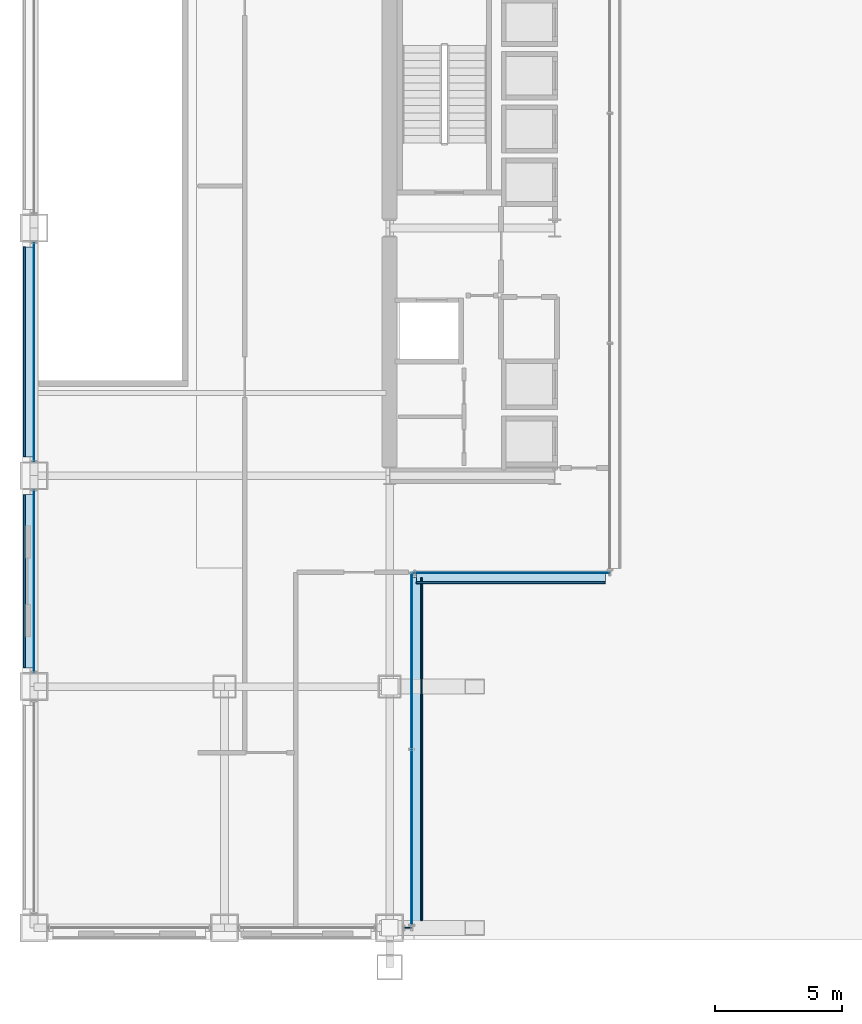
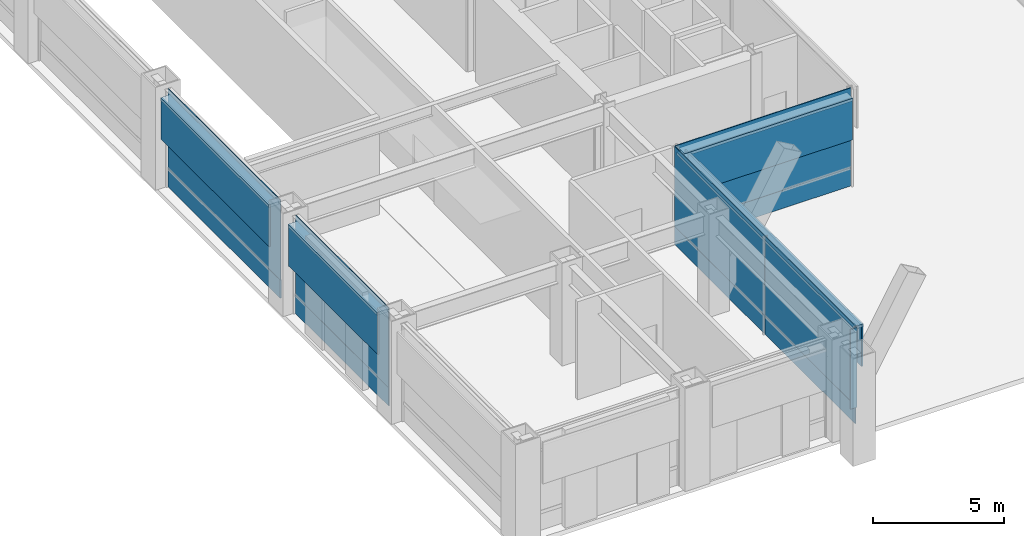
# One storey, part 22 of 37: 19 plates, 5 elements without a shape of their own.
"""IFC4 building model written with IfcOpenShell, lengths in metres."""

import ifcopenshell
import ifcopenshell.guid

model = None  # the IFC model being written
_history = None  # IfcOwnerHistory: only IFC2X3 demands one
_inside = {}  # id of a spatial element -> (the spatial element, [elements in it])
_under = {}  # id of a project, library or spatial element -> (it, [spatial elements below it])
_declared = {}  # id of a project -> (the project, [libraries it declares])
_typed = {}  # id of a type object -> (the type object, [elements of that type])
_made_of = {}  # id of a material, layer set ... -> (it, [elements and type objects made of it])


def new_model(schema):
    """Start an empty IFC model of exactly this schema.

    Asked for "IFC4X3", IfcOpenShell would pick the latest addendum, in which some entities
    have other attributes; the version numbers below select the first issue.
    IFC2X3 requires an IfcOwnerHistory on every rooted entity: one is made here for all.
    """
    global model, _history
    if schema == "IFC4X3":
        model = ifcopenshell.file(schema_version=(4, 3, 0, 0))
    else:
        model = ifcopenshell.file(schema=schema)
    _inside.clear()
    _under.clear()
    _declared.clear()
    _typed.clear()
    _made_of.clear()
    _history = None
    if model.schema == "IFC2X3":
        org = make("IfcOrganization", Name="unknown")
        user = make(
            "IfcPersonAndOrganization",
            ThePerson=make("IfcPerson", FamilyName="unknown"),
            TheOrganization=org,
        )
        app = make(
            "IfcApplication",
            ApplicationDeveloper=org,
            Version="unknown",
            ApplicationFullName="unknown",
            ApplicationIdentifier="unknown",
        )
        _history = make(
            "IfcOwnerHistory",
            OwningUser=user,
            OwningApplication=app,
            ChangeAction="ADDED",
            CreationDate=0,
        )
    return model


def make(cls, **values):
    """One entity of the class cls with the attributes given. An attribute that is None is left unset."""
    return model.create_entity(
        cls, **{name: value for name, value in values.items() if value is not None}
    )


def rooted(cls, **values):
    """An entity with a GlobalId (a new one), such as an element, a storey or a relation."""
    return make(cls, GlobalId=ifcopenshell.guid.new(), OwnerHistory=_history, **values)


def si_unit(unit_type, name, prefix=None):
    """IfcSIUnit, for example si_unit("LENGTHUNIT", "METRE", prefix="MILLI")."""
    return make("IfcSIUnit", UnitType=unit_type, Prefix=prefix, Name=name)


def assignment(units):
    """IfcUnitAssignment: the units of a project."""
    return None if units is None else make("IfcUnitAssignment", Units=units)


def point(xyz):
    """IfcCartesianPoint."""
    return None if xyz is None else make("IfcCartesianPoint", Coordinates=xyz)


def direction(xyz):
    """IfcDirection."""
    return None if xyz is None else make("IfcDirection", DirectionRatios=xyz)


def frame(location, z_axis=None, x_axis=None):
    """IfcAxis2Placement3D, a coordinate frame: its origin and axes. An axis left out is left unset."""
    return make(
        "IfcAxis2Placement3D",
        Location=point(location),
        Axis=direction(z_axis),
        RefDirection=direction(x_axis),
    )


def frame_2d(location, x_axis=None):
    """IfcAxis2Placement2D, a coordinate frame in the plane: its origin and x axis."""
    return make(
        "IfcAxis2Placement2D", Location=point(location), RefDirection=direction(x_axis)
    )


def origin():
    """The frame at (0, 0, 0) with its axes left unset."""
    return frame((0.0, 0.0, 0.0))


def origin_2d():
    """The frame at (0, 0) in the plane with its x axis left unset."""
    return frame_2d((0.0, 0.0))


def place(relative_to, where):
    """IfcLocalPlacement: puts the frame where relative to a parent placement (None: the world)."""
    return make(
        "IfcLocalPlacement", PlacementRelTo=relative_to, RelativePlacement=where
    )


def context(
    kind, dimensions, precision=None, world=None, true_north=None, identifier=None
):
    """IfcGeometricRepresentationContext, for example the 3D "Model" context."""
    return make(
        "IfcGeometricRepresentationContext",
        ContextIdentifier=identifier,
        ContextType=kind,
        CoordinateSpaceDimension=dimensions,
        Precision=precision,
        WorldCoordinateSystem=world,
        TrueNorth=true_north,
    )


def subcontext(parent, identifier, kind, view, scale=None):
    """IfcGeometricRepresentationSubContext, for example "Body" below "Model"."""
    return make(
        "IfcGeometricRepresentationSubContext",
        ContextIdentifier=identifier,
        ContextType=kind,
        ParentContext=parent,
        TargetScale=scale,
        TargetView=view,
    )


def project(units=None, contexts=None):
    """IfcProject with its units and contexts."""
    return rooted(
        "IfcProject",
        Name="project",
        RepresentationContexts=contexts,
        UnitsInContext=assignment(units),
    )


def spatial(cls, under=None, at=None, **own):
    """A site, building, storey or space (cls), placed at a placement, below another one or the project."""
    s = rooted(cls, ObjectPlacement=at, **own)
    if under is not None:
        _under.setdefault(under.id(), (under, []))[1].append(s)
    return s


def profile(cls, at=None, kind="AREA", **sizes):
    """A parametric profile (cls). Its sizes go by their IFC names, for example OverallWidth=200.0."""
    return make(cls, ProfileType=kind, Position=at, **sizes)


def rectangle(**sizes):
    """IfcRectangleProfileDef."""
    return profile("IfcRectangleProfileDef", **sizes)


def extrude(swept, where, along, depth):
    """IfcExtrudedAreaSolid: the profile swept, set in the frame where, extruded along a direction by depth."""
    return make(
        "IfcExtrudedAreaSolid",
        SweptArea=swept,
        Position=where,
        ExtrudedDirection=direction(along),
        Depth=depth,
    )


def shape(context_of_items, identifier, shape_type, items):
    """IfcShapeRepresentation: the items that make up one representation, for example the "Body"."""
    return make(
        "IfcShapeRepresentation",
        ContextOfItems=context_of_items,
        RepresentationIdentifier=identifier,
        RepresentationType=shape_type,
        Items=items,
    )


def material(Name=None, Category=None):
    """IfcMaterial."""
    return make("IfcMaterial", Name=Name, Category=Category)


def layer(
    of_material, thickness, ventilated=None, Name=None, Category=None, Priority=None
):
    """IfcMaterialLayer: one layer of a wall or slab, of a material (None: an air gap)."""
    return make(
        "IfcMaterialLayer",
        Material=of_material,
        LayerThickness=thickness,
        IsVentilated=ventilated,
        Name=Name,
        Category=Category,
        Priority=Priority,
    )


def layer_set(layers, Name=None):
    """IfcMaterialLayerSet."""
    return make("IfcMaterialLayerSet", MaterialLayers=layers, LayerSetName=Name)


def made_of(thing, what):
    """Note that an element or type object is made of a material, layer set ...; save() writes the relation."""
    if what is not None:
        _made_of.setdefault(what.id(), (what, []))[1].append(thing)
    return thing


def type_object(cls, material=None, **own):
    """A type object (cls), such as IfcWallType, which elements share."""
    return made_of(rooted(cls, **own), material)


def element(
    cls,
    number,
    at=None,
    inside=None,
    cuts=None,
    type_object=None,
    material=None,
    context=None,
    identifier="Body",
    shape_type=None,
    held_by="IfcProductDefinitionShape",
    body=None,
    shapes=None,
    **own,
):
    """One element of the class cls, such as IfcWall. Its Tag is "e" and its number.

    at: its placement. inside: the storey or other place that contains it. cuts: it is an
    opening in that element (IfcRelVoidsElement). A single representation is given by context,
    identifier, shape_type and body (its items); several are given by shapes. held_by: the class
    of the entity that holds the representations. save() writes the other relations.
    """
    e = rooted(cls, Tag="e%d" % number, ObjectPlacement=at, **own)
    if body is not None:
        shapes = [shape(context, identifier, shape_type, body)]
    if shapes is not None:
        e.Representation = make(held_by, Representations=shapes)
    if inside is not None:
        _inside.setdefault(inside.id(), (inside, []))[1].append(e)
    if cuts is not None:
        rooted(
            "IfcRelVoidsElement", RelatingBuildingElement=cuts, RelatedOpeningElement=e
        )
    if type_object is not None:
        _typed.setdefault(type_object.id(), (type_object, []))[1].append(e)
    return made_of(e, material)


def aggregate(whole, parts):
    """IfcRelAggregates: a whole, such as a stair, and the parts it consists of."""
    return rooted("IfcRelAggregates", RelatingObject=whole, RelatedObjects=parts)


def save(model, path):
    """Write the relations noted so far, then the file.

    IfcRelAggregates (storeys below a building ...), IfcRelContainedInSpatialStructure (elements
    in a storey), IfcRelDefinesByType, IfcRelAssociatesMaterial and IfcRelDeclares: one each for
    every whole, place, type object, material and project.
    """
    for whole, parts in _under.values():
        aggregate(whole, parts)
    for where, things in _inside.values():
        rooted(
            "IfcRelContainedInSpatialStructure",
            RelatedElements=things,
            RelatingStructure=where,
        )
    for kind, things in _typed.values():
        rooted("IfcRelDefinesByType", RelatedObjects=things, RelatingType=kind)
    for what, things in _made_of.values():
        rooted("IfcRelAssociatesMaterial", RelatedObjects=things, RelatingMaterial=what)
    for by, libraries in _declared.values():
        rooted("IfcRelDeclares", RelatingContext=by, RelatedDefinitions=libraries)
    model.write(path)


model = new_model("IFC4")

# Units and contexts
model_context = context("Model", 3, precision=1e-05, world=origin(), true_north=direction((0.0, 1.0)))
body_context = subcontext(model_context, "Body", "Model", "MODEL_VIEW")
ifc_project = project(units=[si_unit("LENGTHUNIT", "METRE"), si_unit("AREAUNIT", "SQUARE_METRE"), si_unit("VOLUMEUNIT", "CUBIC_METRE"), si_unit("PLANEANGLEUNIT", "RADIAN"), si_unit("MASSUNIT", "GRAM", prefix="KILO")], contexts=[model_context])

# Site, building, storey
site_placement = place(None, origin())
site = spatial("IfcSite", under=ifc_project, at=site_placement, CompositionType="ELEMENT")
building_placement = place(site_placement, origin())
building = spatial("IfcBuilding", under=site, at=building_placement, Name="Brelmoor Portico Tower", CompositionType="ELEMENT")
storey_placement = place(building_placement, origin())
storey = spatial("IfcBuildingStorey", under=building, at=storey_placement, Name="L00", CompositionType="ELEMENT", Elevation=0.0)

# Curtain wall, plate
ifc_material_1 = material(Name="Anodised Aluminium Alloy 6063-T6", Category="aluminium")
ifc_layer_1 = layer(ifc_material_1, 0.179931640625)
ifc_layer_set_1 = layer_set([ifc_layer_1], Name="Anodised Aluminium Alloy 6063-T6")
curtain_wall_type = type_object("IfcCurtainWallType", Name="CW-PODIUM-ARCH", PredefinedType="NOTDEFINED", material=ifc_layer_set_1)
curtain_wall_1_placement = place(storey_placement, origin())
curtain_wall_1 = element("IfcCurtainWall", 1, at=curtain_wall_1_placement, inside=storey, type_object=curtain_wall_type, Name="L00 Curtain Wall CW-L00-01-3", PredefinedType="NOTDEFINED")
ifc_material_2 = material(Name="Double-Silver Low-E Insulated Glazing", Category="glass")
ifc_layer_2 = layer(ifc_material_2, 0.035888671875)
ifc_layer_set_2 = layer_set([ifc_layer_2], Name="Double-Silver Low-E Insulated Glazing")
plate_type_1 = type_object("IfcPlateType", Name="PT-CW-GLASS", PredefinedType="CURTAIN_PANEL", material=ifc_layer_set_2)
plate_1_placement = place(storey_placement, frame((-13.8349609375, -27.550048828125, 0.85009765625), z_axis=(0.0, 0.0, 1.0), x_axis=(1.0, 0.0, 0.0)))
plate_1 = element("IfcPlate", 2, at=plate_1_placement, type_object=plate_type_1, Name="CW-L00-01-3 Vision Glass Panel 00", PredefinedType="CURTAIN_PANEL", context=body_context, shape_type="SweptSolid", body=[
    extrude(rectangle(XDim=0.280029296875, YDim=0.035888671875, at=origin_2d()), origin(), (0.0, 0.0, 1.0), 3.72998046875),
])
aggregate(curtain_wall_1, [plate_1])

curtain_wall_2_placement = place(storey_placement, origin())
curtain_wall_2 = element("IfcCurtainWall", 3, at=curtain_wall_2_placement, inside=storey, type_object=curtain_wall_type, Name="L00 Curtain Wall CW-L00-05-2", PredefinedType="NOTDEFINED")
plate_2_placement = place(storey_placement, frame((-28.550048828125, -13.89990234375, 0.85009765625), z_axis=(0.0, 0.0, 1.0), x_axis=(0.0, 1.0, 0.0)))
plate_2 = element("IfcPlate", 4, at=plate_2_placement, type_object=plate_type_1, Name="CW-L00-05-2 Vision Glass Panel 00", PredefinedType="CURTAIN_PANEL", context=body_context, shape_type="SweptSolid", body=[
    extrude(rectangle(XDim=7.14990234375, YDim=0.035888671875, at=origin_2d()), origin(), (0.0, 0.0, 1.0), 3.72998046875),
])

curtain_wall_3_placement = place(storey_placement, origin())
curtain_wall_3 = element("IfcCurtainWall", 5, at=curtain_wall_3_placement, inside=storey, type_object=curtain_wall_type, Name="L00 Curtain Wall CW-L00-05-3", PredefinedType="NOTDEFINED")
plate_3_placement = place(storey_placement, frame((-28.550048828125, -4.875, 0.85009765625), z_axis=(0.0, 0.0, 1.0), x_axis=(0.0, 1.0, 0.0)))
plate_3 = element("IfcPlate", 6, at=plate_3_placement, type_object=plate_type_1, Name="CW-L00-05-3 Vision Glass Panel 00", PredefinedType="CURTAIN_PANEL", context=body_context, shape_type="SweptSolid", body=[
    extrude(rectangle(XDim=8.60009765625, YDim=0.035888671875, at=origin_2d()), origin(), (0.0, 0.0, 1.0), 3.72998046875),
])

# Curtain wall, plates
curtain_wall_4_placement = place(storey_placement, origin())
curtain_wall_4 = element("IfcCurtainWall", 7, at=curtain_wall_4_placement, inside=storey, type_object=curtain_wall_type, Name="L00 Curtain Wall CW-L00-07", PredefinedType="NOTDEFINED")
plate_4_placement = place(storey_placement, frame((-13.679931640625, -23.982421875, 0.85009765625), z_axis=(0.0, 0.0, 1.0), x_axis=(0.0, 1.0, 0.0)))
plate_4 = element("IfcPlate", 8, at=plate_4_placement, type_object=plate_type_1, Name="CW-L00-07 Vision Glass Panel 00", PredefinedType="CURTAIN_PANEL", context=body_context, shape_type="SweptSolid", body=[
    extrude(rectangle(XDim=6.905029296875, YDim=0.035888671875, at=origin_2d()), origin(), (0.0, 0.0, 1.0), 3.72998046875),
])
plate_5_placement = place(storey_placement, frame((-13.679931640625, -17.047607421875, 0.85009765625), z_axis=(0.0, 0.0, 1.0), x_axis=(0.0, 1.0, 0.0)))
plate_5 = element("IfcPlate", 9, at=plate_5_placement, type_object=plate_type_1, Name="CW-L00-07 Vision Glass Panel 01", PredefinedType="CURTAIN_PANEL", context=body_context, shape_type="SweptSolid", body=[
    extrude(rectangle(XDim=6.905029296875, YDim=0.035888671875, at=origin_2d()), origin(), (0.0, 0.0, 1.0), 3.72998046875),
])

# Curtain wall, plate
curtain_wall_5_placement = place(storey_placement, origin())
curtain_wall_5 = element("IfcCurtainWall", 10, at=curtain_wall_5_placement, inside=storey, type_object=curtain_wall_type, Name="L00 Curtain Wall CW-L00-11", PredefinedType="NOTDEFINED")
plate_6_placement = place(storey_placement, frame((-9.780029296875, -13.580078125, 0.85009765625), z_axis=(0.0, 0.0, 1.0), x_axis=(1.0, 0.0, 0.0)))
plate_6 = element("IfcPlate", 11, at=plate_6_placement, type_object=plate_type_1, Name="CW-L00-11 Vision Glass Panel 00", PredefinedType="CURTAIN_PANEL", context=body_context, shape_type="SweptSolid", body=[
    extrude(rectangle(XDim=7.77001953125, YDim=0.035888671875, at=origin_2d()), origin(), (0.0, 0.0, 1.0), 3.72998046875),
])

# Plate
ifc_material_3 = material(Name="Pale Champagne Anodised Aluminium Panel", Category="aluminium")
ifc_layer_3 = layer(ifc_material_3, 0.050048828125)
ifc_layer_set_3 = layer_set([ifc_layer_3], Name="Pale Champagne Anodised Aluminium Panel")
plate_type_2 = type_object("IfcPlateType", Name="PT-CW-SPANDREL", PredefinedType="SHEET", material=ifc_layer_set_3)
plate_7_placement = place(storey_placement, frame((-28.550048828125, -13.89990234375, 0.0), z_axis=(0.0, 0.0, 1.0), x_axis=(0.0, 1.0, 0.0)))
plate_7 = element("IfcPlate", 12, at=plate_7_placement, type_object=plate_type_2, Name="CW-L00-05-2 Spandrel Panel 00", PredefinedType="SHEET", context=body_context, shape_type="SweptSolid", body=[
    extrude(rectangle(XDim=7.14990234375, YDim=0.050048828125, at=origin_2d()), origin(), (0.0, 0.0, 1.0), 0.85009765625),
])

aggregate(curtain_wall_2, [plate_7, plate_2])

plate_8_placement = place(storey_placement, frame((-28.550048828125, -4.875, 0.0), z_axis=(0.0, 0.0, 1.0), x_axis=(0.0, 1.0, 0.0)))
plate_8 = element("IfcPlate", 13, at=plate_8_placement, type_object=plate_type_2, Name="CW-L00-05-3 Spandrel Panel 00", PredefinedType="SHEET", context=body_context, shape_type="SweptSolid", body=[
    extrude(rectangle(XDim=8.60009765625, YDim=0.050048828125, at=origin_2d()), origin(), (0.0, 0.0, 1.0), 0.85009765625),
])

aggregate(curtain_wall_3, [plate_8, plate_3])

plate_9_placement = place(storey_placement, frame((-13.679931640625, -23.982421875, 0.0), z_axis=(0.0, 0.0, 1.0), x_axis=(0.0, 1.0, 0.0)))
plate_9 = element("IfcPlate", 14, at=plate_9_placement, type_object=plate_type_2, Name="CW-L00-07 Spandrel Panel 00", PredefinedType="SHEET", context=body_context, shape_type="SweptSolid", body=[
    extrude(rectangle(XDim=6.905029296875, YDim=0.050048828125, at=origin_2d()), origin(), (0.0, 0.0, 1.0), 0.85009765625),
])

plate_10_placement = place(storey_placement, frame((-13.679931640625, -17.047607421875, 0.0), z_axis=(0.0, 0.0, 1.0), x_axis=(0.0, 1.0, 0.0)))
plate_10 = element("IfcPlate", 15, at=plate_10_placement, type_object=plate_type_2, Name="CW-L00-07 Spandrel Panel 01", PredefinedType="SHEET", context=body_context, shape_type="SweptSolid", body=[
    extrude(rectangle(XDim=6.905029296875, YDim=0.050048828125, at=origin_2d()), origin(), (0.0, 0.0, 1.0), 0.85009765625),
])

aggregate(curtain_wall_4, [plate_9, plate_4, plate_10, plate_5])

plate_11_placement = place(storey_placement, frame((-9.780029296875, -13.580078125, 0.0), z_axis=(0.0, 0.0, 1.0), x_axis=(1.0, 0.0, 0.0)))
plate_11 = element("IfcPlate", 16, at=plate_11_placement, type_object=plate_type_2, Name="CW-L00-11 Spandrel Panel 00", PredefinedType="SHEET", context=body_context, shape_type="SweptSolid", body=[
    extrude(rectangle(XDim=7.77001953125, YDim=0.050048828125, at=origin_2d()), origin(), (0.0, 0.0, 1.0), 0.85009765625),
])

aggregate(curtain_wall_5, [plate_11, plate_6])

# Plates
ifc_material_4 = material(Name="Powder-Coated Aluminium Shuttered Jalousie Louvre", Category="aluminium")
ifc_layer_4 = layer(ifc_material_4, 0.06005859375)
ifc_layer_set_4 = layer_set([ifc_layer_4], Name="Powder-Coated Aluminium Shuttered Jalousie Louvre")
plate_type_3 = type_object("IfcPlateType", Name="PT-JALOUSIE-SHUTTER", PredefinedType="SHEET", material=ifc_layer_set_4)
plate_12_placement = place(storey_placement, frame((-28.929931640625, -13.89990234375, 2.4404296875), z_axis=(0.0, 0.0, 1.0), x_axis=(0.0, 1.0, 0.0)))
element("IfcPlate", 17, at=plate_12_placement, inside=storey, type_object=plate_type_3, Name="CW-L00-05-2 Perforated Jalousie Solar Screen", PredefinedType="SHEET", context=body_context, shape_type="SweptSolid", body=[
    extrude(rectangle(XDim=6.820068359375, YDim=0.06494140625, at=origin_2d()), origin(), (0.0, 0.0, 1.0), 1.939697265625),
])
plate_13_placement = place(storey_placement, frame((-28.929931640625, -4.875, 2.4404296875), z_axis=(0.0, 0.0, 1.0), x_axis=(0.0, 1.0, 0.0)))
element("IfcPlate", 18, at=plate_13_placement, inside=storey, type_object=plate_type_3, Name="CW-L00-05-3 Perforated Jalousie Solar Screen", PredefinedType="SHEET", context=body_context, shape_type="SweptSolid", body=[
    extrude(rectangle(XDim=8.27001953125, YDim=0.06494140625, at=origin_2d()), origin(), (0.0, 0.0, 1.0), 1.939697265625),
])
plate_14_placement = place(storey_placement, frame((-13.300048828125, -20.514892578125, 2.4404296875), z_axis=(0.0, 0.0, 1.0), x_axis=(0.0, 1.0, 0.0)))
element("IfcPlate", 19, at=plate_14_placement, inside=storey, type_object=plate_type_3, Name="CW-L00-07 Perforated Jalousie Solar Screen", PredefinedType="SHEET", context=body_context, shape_type="SweptSolid", body=[
    extrude(rectangle(XDim=13.510009765625, YDim=0.06494140625, at=origin_2d()), origin(), (0.0, 0.0, 1.0), 1.939697265625),
])
plate_15_placement = place(storey_placement, frame((-9.780029296875, -13.9599609375, 2.4404296875), z_axis=(0.0, 0.0, 1.0), x_axis=(1.0, 0.0, 0.0)))
element("IfcPlate", 20, at=plate_15_placement, inside=storey, type_object=plate_type_3, Name="CW-L00-11 Perforated Jalousie Solar Screen", PredefinedType="SHEET", context=body_context, shape_type="SweptSolid", body=[
    extrude(rectangle(XDim=7.43994140625, YDim=0.06494140625, at=origin_2d()), origin(), (0.0, 0.0, 1.0), 1.939697265625),
])
ifc_material_5 = material(Name="Pale Champagne Perforated Aluminium Solar Screen", Category="aluminium")
ifc_layer_5 = layer(ifc_material_5, 0.054931640625)
ifc_layer_set_5 = layer_set([ifc_layer_5], Name="Pale Champagne Perforated Aluminium Solar Screen")
plate_type_4 = type_object("IfcPlateType", Name="PT-SOLAR-LOUVRE", PredefinedType="SHEET", material=ifc_layer_set_5)
plate_16_placement = place(storey_placement, frame((-28.760009765625, -13.89990234375, 4.27001953125), z_axis=(0.0, 0.0, 1.0), x_axis=(0.0, 1.0, 0.0)))
element("IfcPlate", 21, at=plate_16_placement, inside=storey, type_object=plate_type_4, Name="CW-L00-05-2 Caribbean Brise-Soleil Solar Screen", PredefinedType="SHEET", context=body_context, shape_type="SweptSolid", body=[
    extrude(rectangle(XDim=6.820068359375, YDim=0.4599609375, at=origin_2d()), origin(), (0.0, 0.0, 1.0), 0.139892578125),
])
plate_17_placement = place(storey_placement, frame((-28.760009765625, -4.875, 4.27001953125), z_axis=(0.0, 0.0, 1.0), x_axis=(0.0, 1.0, 0.0)))
element("IfcPlate", 22, at=plate_17_placement, inside=storey, type_object=plate_type_4, Name="CW-L00-05-3 Caribbean Brise-Soleil Solar Screen", PredefinedType="SHEET", context=body_context, shape_type="SweptSolid", body=[
    extrude(rectangle(XDim=8.27001953125, YDim=0.4599609375, at=origin_2d()), origin(), (0.0, 0.0, 1.0), 0.139892578125),
])
plate_18_placement = place(storey_placement, frame((-13.469970703125, -20.514892578125, 4.27001953125), z_axis=(0.0, 0.0, 1.0), x_axis=(0.0, 1.0, 0.0)))
element("IfcPlate", 23, at=plate_18_placement, inside=storey, type_object=plate_type_4, Name="CW-L00-07 Caribbean Brise-Soleil Solar Screen", PredefinedType="SHEET", context=body_context, shape_type="SweptSolid", body=[
    extrude(rectangle(XDim=13.510009765625, YDim=0.4599609375, at=origin_2d()), origin(), (0.0, 0.0, 1.0), 0.139892578125),
])
plate_19_placement = place(storey_placement, frame((-9.780029296875, -13.7900390625, 4.27001953125), z_axis=(0.0, 0.0, 1.0), x_axis=(1.0, 0.0, 0.0)))
element("IfcPlate", 24, at=plate_19_placement, inside=storey, type_object=plate_type_4, Name="CW-L00-11 Caribbean Brise-Soleil Solar Screen", PredefinedType="SHEET", context=body_context, shape_type="SweptSolid", body=[
    extrude(rectangle(XDim=7.43994140625, YDim=0.4599609375, at=origin_2d()), origin(), (0.0, 0.0, 1.0), 0.139892578125),
])

save(model, "model.ifc")
